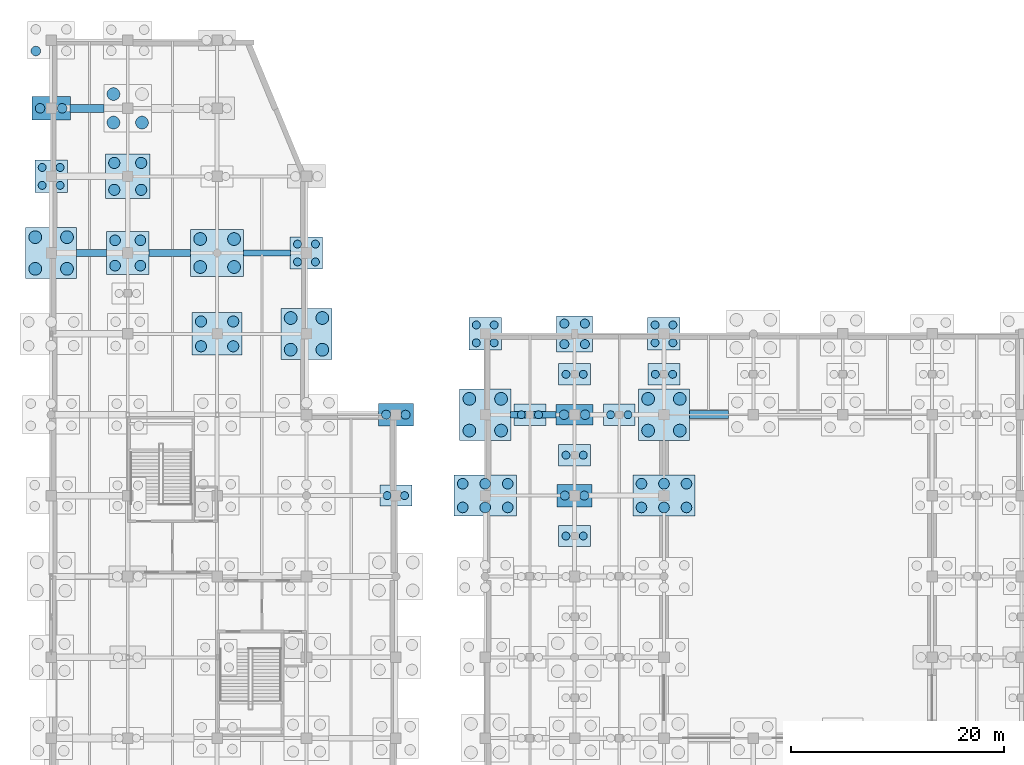
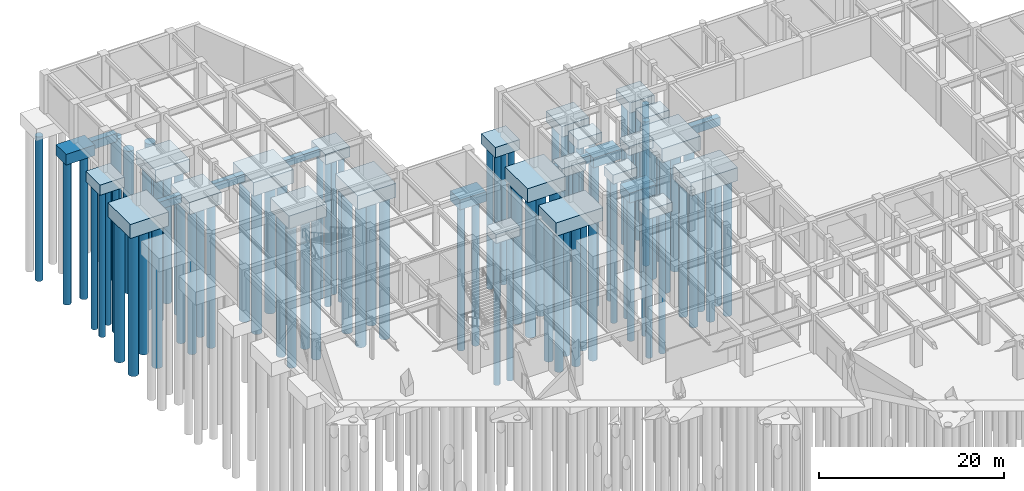
# One storey, part 8 of 52: 90 piles, 32 footings.
"""IFC4 building model written with IfcOpenShell, lengths in metres."""

from ifc_helpers import new_model, si_unit, direction, frame, origin, origin_2d, place, context, subcontext, project, spatial, rectangle, circle, extrude, material, material_profile, profile_set, type_object, element, save


model = new_model("IFC4")

# Units and contexts
model_context = context("Model", 3, precision=1e-05, world=origin(), true_north=direction((0.0, 1.0)))
body_context = subcontext(model_context, "Body", "Model", "MODEL_VIEW")
ifc_project = project(units=[si_unit("LENGTHUNIT", "METRE"), si_unit("AREAUNIT", "SQUARE_METRE"), si_unit("VOLUMEUNIT", "CUBIC_METRE"), si_unit("PLANEANGLEUNIT", "RADIAN"), si_unit("MASSUNIT", "GRAM", prefix="KILO")], contexts=[model_context])

# Site, building, storey
site_placement = place(None, origin())
site = spatial("IfcSite", under=ifc_project, at=site_placement, CompositionType="ELEMENT")
building_placement = place(site_placement, origin())
building = spatial("IfcBuilding", under=site, at=building_placement, Name="Xicomal Pleat Aquarium", CompositionType="ELEMENT")
storey_placement = place(building_placement, frame((0.0, 0.0, -5.39990234375)))
storey = spatial("IfcBuildingStorey", under=building, at=storey_placement, Name="B1", CompositionType="ELEMENT", Elevation=-5.39990234375)

# Footings
ifc_material_1 = material(Name="Concrete C40/50", Category="concrete")
ifc_material_profile_1 = material_profile(ifc_material_1, rectangle(XDim=0.60009765625, YDim=0.89990234375, at=origin_2d()), Name="FB-02 600x900")
ifc_profile_set_1 = profile_set([ifc_material_profile_1], Name="Concrete C40/50")
footing_type_1 = type_object("IfcFootingType", Name="FTG-FB-600x900", PredefinedType="FOOTING_BEAM", material=ifc_profile_set_1)
footing_1_placement = place(storey_placement, frame((21.090087890625, 91.199951171875, -1.050048828125), z_axis=(1.0, 0.0, 0.0), x_axis=(0.0, 1.0, 0.0)))
element("IfcFooting", 1, at=footing_1_placement, inside=storey, type_object=footing_type_1, Name="Foundation tie beam 03-04/N", PredefinedType="FOOTING_BEAM", context=body_context, shape_type="SweptSolid", body=[
    extrude(rectangle(XDim=0.60009765625, YDim=0.89990234375, at=origin_2d()), origin(), (0.0, 0.0, 1.0), 4.39501953125),
])
ifc_material_2 = material(Name="Concrete C40/50", Category="concrete")
ifc_material_profile_2 = material_profile(ifc_material_2, rectangle(XDim=0.64990234375, YDim=1.0, at=origin_2d()), Name="FB-03 650x1000")
ifc_profile_set_2 = profile_set([ifc_material_profile_2], Name="Concrete C40/50")
footing_type_2 = type_object("IfcFootingType", Name="FTG-FB-650x1000", PredefinedType="FOOTING_BEAM", material=ifc_profile_set_2)
footing_2_placement = place(storey_placement, frame((5.389892578125, 91.199951171875, -1.10009765625), z_axis=(1.0, 0.0, 0.0), x_axis=(0.0, 1.0, 0.0)))
element("IfcFooting", 2, at=footing_2_placement, inside=storey, type_object=footing_type_2, Name="Foundation tie beam 01-02/N", PredefinedType="FOOTING_BEAM", context=body_context, shape_type="SweptSolid", body=[
    extrude(rectangle(XDim=0.64990234375, YDim=1.0, at=origin_2d()), origin(), (0.0, 0.0, 1.0), 2.820068359375),
])
footing_3_placement = place(storey_placement, frame((12.18994140625, 91.199951171875, -1.10009765625), z_axis=(1.0, 0.0, 0.0), x_axis=(0.0, 1.0, 0.0)))
element("IfcFooting", 3, at=footing_3_placement, inside=storey, type_object=footing_type_2, Name="Foundation tie beam 02-03/N", PredefinedType="FOOTING_BEAM", context=body_context, shape_type="SweptSolid", body=[
    extrude(rectangle(XDim=0.64990234375, YDim=1.0, at=origin_2d()), origin(), (0.0, 0.0, 1.0), 3.920166015625),
])
footing_4_placement = place(storey_placement, frame((46.18994140625, 76.0, -1.4501953125), z_axis=(1.0, 0.0, 0.0), x_axis=(0.0, 1.0, 0.0)))
element("IfcFooting", 4, at=footing_4_placement, inside=storey, type_object=footing_type_2, Name="Foundation tie beam 06-07/L", PredefinedType="FOOTING_BEAM", context=body_context, shape_type="SweptSolid", body=[
    extrude(rectangle(XDim=0.64990234375, YDim=1.0, at=origin_2d()), origin(), (0.0, 0.0, 1.0), 4.27001953125),
])
ifc_material_3 = material(Name="Concrete C40/50", Category="concrete")
ifc_material_profile_3 = material_profile(ifc_material_3, rectangle(XDim=0.75, YDim=1.10009765625, at=origin_2d()), Name="FB-04 750x1100")
ifc_profile_set_3 = profile_set([ifc_material_profile_3], Name="Concrete C40/50")
footing_type_3 = type_object("IfcFootingType", Name="FTG-FB-750x1100", PredefinedType="FOOTING_BEAM", material=ifc_profile_set_3)
footing_5_placement = place(storey_placement, frame((4.7900390625, 104.800048828125, -1.150146484375), z_axis=(1.0, 0.0, 0.0), x_axis=(0.0, 1.0, 0.0)))
element("IfcFooting", 5, at=footing_5_placement, inside=storey, type_object=footing_type_3, Name="Foundation tie beam 01-02/Q", PredefinedType="FOOTING_BEAM", context=body_context, shape_type="SweptSolid", body=[
    extrude(rectangle(XDim=0.75, YDim=1.10009765625, at=origin_2d()), origin(), (0.0, 0.0, 1.0), 3.169921875),
])
footing_6_placement = place(storey_placement, frame((62.989990234375, 76.0, -2.10009765625), z_axis=(1.0, 0.0, 0.0), x_axis=(0.0, 1.0, 0.0)))
element("IfcFooting", 6, at=footing_6_placement, inside=storey, type_object=footing_type_3, Name="Foundation tie beam 08-09/L", PredefinedType="FOOTING_BEAM", context=body_context, shape_type="SweptSolid", body=[
    extrude(rectangle(XDim=0.75, YDim=1.10009765625, at=origin_2d()), origin(), (0.0, 0.0, 1.0), 3.669921875),
])
ifc_material_4 = material(Name="Concrete C40/50", Category="concrete")
footing_type_4 = type_object("IfcFootingType", Name="FTG-PC-3000x2000x1200", PredefinedType="PILE_CAP", material=ifc_material_4)
for number, where, z_axis, x_axis, name in (
    (7, (35.39990234375, 68.39990234375, -1.80029296875), (0.0, 0.0, 1.0), (1.0, 0.0, 0.0), "Pile cap 05-K"),
    (8, (48.0, 76.0, -2.14990234375), (0.0, 0.0, 1.0), (1.0, 0.0, 0.0), "Pile cap SUB-05"),
    (9, (56.39990234375, 76.0, -2.14990234375), (0.0, 0.0, 1.0), (1.0, 0.0, 0.0), "Pile cap SUB-10"),
    (10, (52.199951171875, 64.60009765625, -2.14990234375), (0.0, 0.0, 1.0), (1.0, 0.0, 0.0), "Pile cap SUB-38"),
    (11, (52.199951171875, 72.199951171875, -2.14990234375), (0.0, 0.0, 1.0), (1.0, 0.0, 0.0), "Pile cap SUB-39"),
    (12, (52.199951171875, 79.800048828125, -2.14990234375), (0.0, 0.0, 1.0), (1.0, 0.0, 0.0), "Pile cap SUB-40"),
    (13, (60.60009765625, 79.800048828125, -2.14990234375), (0.0, 0.0, 1.0), (1.0, 0.0, 0.0), "Pile cap SUB-43"),
):
    element("IfcFooting", number, at=place(storey_placement, frame(where, z_axis=z_axis, x_axis=x_axis)), inside=storey, type_object=footing_type_4, Name=name, PredefinedType="PILE_CAP", context=body_context, shape_type="SweptSolid", body=[
        extrude(rectangle(XDim=3.0, YDim=2.0, at=origin_2d()), origin(), (0.0, 0.0, 1.0), 1.199951171875),
    ])
ifc_material_5 = material(Name="Concrete C40/50", Category="concrete")
footing_type_5 = type_object("IfcFootingType", Name="FTG-PC-3050x3050x1350", PredefinedType="PILE_CAP", material=ifc_material_5)
for number, where, z_axis, x_axis, name in (
    (14, (3.0, 98.39990234375, -1.9501953125), (0.0, 0.0, 1.0), (1.0, 0.0, 0.0), "Pile cap 01-P"),
    (15, (27.0, 91.199951171875, -1.9501953125), (0.0, 0.0, 1.0), (1.0, 0.0, 0.0), "Pile cap 04-N"),
    (16, (43.800048828125, 83.60009765625, -2.300048828125), (0.0, 0.0, 1.0), (1.0, 0.0, 0.0), "Pile cap 06-M"),
    (17, (60.60009765625, 83.60009765625, -2.300048828125), (0.0, 0.0, 1.0), (1.0, 0.0, 0.0), "Pile cap 08-M"),
):
    element("IfcFooting", number, at=place(storey_placement, frame(where, z_axis=z_axis, x_axis=x_axis)), inside=storey, type_object=footing_type_5, Name=name, PredefinedType="PILE_CAP", context=body_context, shape_type="SweptSolid", body=[
        extrude(rectangle(XDim=3.050048828125, YDim=3.050048828125, at=origin_2d()), origin(), (0.0, 0.0, 1.0), 1.35009765625),
    ])
ifc_material_6 = material(Name="Concrete C40/50", Category="concrete")
footing_type_6 = type_object("IfcFootingType", Name="FTG-PC-3300x2100x1300", PredefinedType="PILE_CAP", material=ifc_material_6)
for number, where, z_axis, x_axis, name in (
    (18, (35.39990234375, 76.0, -1.89990234375), (0.0, 0.0, 1.0), (1.0, 0.0, 0.0), "Pile cap 05-L"),
    (19, (52.199951171875, 68.39990234375, -2.25), (0.0, 0.0, 1.0), (1.0, 0.0, 0.0), "Pile cap 07-K"),
):
    element("IfcFooting", number, at=place(storey_placement, frame(where, z_axis=z_axis, x_axis=x_axis)), inside=storey, type_object=footing_type_6, Name=name, PredefinedType="PILE_CAP", context=body_context, shape_type="SweptSolid", body=[
        extrude(rectangle(XDim=3.300048828125, YDim=2.10009765625, at=origin_2d()), origin(), (0.0, 0.0, 1.0), 1.300048828125),
    ])
ifc_material_7 = material(Name="Concrete C40/50", Category="concrete")
footing_type_7 = type_object("IfcFootingType", Name="FTG-PC-3400x3400x1400", PredefinedType="PILE_CAP", material=ifc_material_7)
footing_7_placement = place(storey_placement, frame((52.199951171875, 83.60009765625, -2.35009765625), z_axis=(0.0, 0.0, 1.0), x_axis=(1.0, 0.0, 0.0)))
element("IfcFooting", 20, at=footing_7_placement, inside=storey, type_object=footing_type_7, Name="Pile cap 07-M", PredefinedType="PILE_CAP", context=body_context, shape_type="SweptSolid", body=[
    extrude(rectangle(XDim=3.39990234375, YDim=3.39990234375, at=origin_2d()), origin(), (0.0, 0.0, 1.0), 1.39990234375),
])
ifc_material_8 = material(Name="Concrete C40/50", Category="concrete")
footing_type_8 = type_object("IfcFootingType", Name="FTG-PC-3500x1950x1300", PredefinedType="PILE_CAP", material=ifc_material_8)
footing_8_placement = place(storey_placement, frame((52.199951171875, 76.0, -2.25), z_axis=(0.0, 0.0, 1.0), x_axis=(1.0, 0.0, 0.0)))
element("IfcFooting", 21, at=footing_8_placement, inside=storey, type_object=footing_type_8, Name="Pile cap 07-L", PredefinedType="PILE_CAP", context=body_context, shape_type="SweptSolid", body=[
    extrude(rectangle(XDim=3.5, YDim=1.949951171875, at=origin_2d()), origin(), (0.0, 0.0, 1.0), 1.300048828125),
])
ifc_material_9 = material(Name="Concrete C40/50", Category="concrete")
footing_type_9 = type_object("IfcFootingType", Name="FTG-PC-3600x2200x1400", PredefinedType="PILE_CAP", material=ifc_material_9)
footing_9_placement = place(storey_placement, frame((3.0, 104.800048828125, -2.0), z_axis=(0.0, 0.0, 1.0), x_axis=(1.0, 0.0, 0.0)))
element("IfcFooting", 22, at=footing_9_placement, inside=storey, type_object=footing_type_9, Name="Pile cap 01-Q", PredefinedType="PILE_CAP", context=body_context, shape_type="SweptSolid", body=[
    extrude(rectangle(XDim=3.60009765625, YDim=2.199951171875, at=origin_2d()), origin(), (0.0, 0.0, 1.0), 1.39990234375),
])
ifc_material_10 = material(Name="Concrete C40/50", Category="concrete")
footing_type_10 = type_object("IfcFootingType", Name="FTG-PC-4000x4000x1600", PredefinedType="PILE_CAP", material=ifc_material_10)
footing_10_placement = place(storey_placement, frame((10.199951171875, 91.199951171875, -2.2001953125), z_axis=(0.0, 0.0, 1.0), x_axis=(1.0, 0.0, 0.0)))
element("IfcFooting", 23, at=footing_10_placement, inside=storey, type_object=footing_type_10, Name="Pile cap 02-N", PredefinedType="PILE_CAP", context=body_context, shape_type="SweptSolid", body=[
    extrude(rectangle(XDim=4.0, YDim=4.0, at=origin_2d()), origin(), (0.0, 0.0, 1.0), 1.60009765625),
])
ifc_material_11 = material(Name="Concrete C40/50", Category="concrete")
footing_type_11 = type_object("IfcFootingType", Name="FTG-PC-4200x4200x1650", PredefinedType="PILE_CAP", material=ifc_material_11)
footing_11_placement = place(storey_placement, frame((10.199951171875, 98.39990234375, -2.25), z_axis=(0.0, 0.0, 1.0), x_axis=(1.0, 0.0, 0.0)))
element("IfcFooting", 24, at=footing_11_placement, inside=storey, type_object=footing_type_11, Name="Pile cap 02-P", PredefinedType="PILE_CAP", context=body_context, shape_type="SweptSolid", body=[
    extrude(rectangle(XDim=4.199951171875, YDim=4.199951171875, at=origin_2d()), origin(), (0.0, 0.0, 1.0), 1.64990234375),
])
ifc_material_12 = material(Name="Concrete C40/50", Category="concrete")
footing_type_12 = type_object("IfcFootingType", Name="FTG-PC-4700x4000x1700", PredefinedType="PILE_CAP", material=ifc_material_12)
footing_12_placement = place(storey_placement, frame((18.60009765625, 83.60009765625, -2.30029296875), z_axis=(0.0, 0.0, 1.0), x_axis=(1.0, 0.0, 0.0)))
element("IfcFooting", 25, at=footing_12_placement, inside=storey, type_object=footing_type_12, Name="Pile cap 03-M", PredefinedType="PILE_CAP", context=body_context, shape_type="SweptSolid", body=[
    extrude(rectangle(XDim=4.699951171875, YDim=4.0, at=origin_2d()), origin(), (0.0, 0.0, 1.0), 1.699951171875),
])
ifc_material_13 = material(Name="Concrete C40/50", Category="concrete")
footing_type_13 = type_object("IfcFootingType", Name="FTG-PC-4800x4800x1850", PredefinedType="PILE_CAP", material=ifc_material_13)
for number, where, z_axis, x_axis, name in (
    (26, (3.0, 91.199951171875, -2.4501953125), (0.0, 0.0, 1.0), (1.0, 0.0, 0.0), "Pile cap 01-N"),
    (27, (27.0, 83.60009765625, -2.4501953125), (0.0, 0.0, 1.0), (1.0, 0.0, 0.0), "Pile cap 04-M"),
    (28, (43.800048828125, 76.0, -2.800048828125), (0.0, 0.0, 1.0), (1.0, 0.0, 0.0), "Pile cap 06-L"),
    (29, (60.60009765625, 76.0, -3.400146484375), (0.0, 0.0, 1.0), (1.0, 0.0, 0.0), "Pile cap 08-L"),
):
    element("IfcFooting", number, at=place(storey_placement, frame(where, z_axis=z_axis, x_axis=x_axis)), inside=storey, type_object=footing_type_13, Name=name, PredefinedType="PILE_CAP", context=body_context, shape_type="SweptSolid", body=[
        extrude(rectangle(XDim=4.800048828125, YDim=4.800048828125, at=origin_2d()), origin(), (0.0, 0.0, 1.0), 1.85009765625),
    ])
ifc_material_14 = material(Name="Concrete C40/50", Category="concrete")
footing_type_14 = type_object("IfcFootingType", Name="FTG-PC-5000x4450x1800", PredefinedType="PILE_CAP", material=ifc_material_14)
footing_13_placement = place(storey_placement, frame((18.60009765625, 91.199951171875, -2.39990234375), z_axis=(0.0, 0.0, 1.0), x_axis=(1.0, 0.0, 0.0)))
element("IfcFooting", 30, at=footing_13_placement, inside=storey, type_object=footing_type_14, Name="Pile cap 03-N", PredefinedType="PILE_CAP", context=body_context, shape_type="SweptSolid", body=[
    extrude(rectangle(XDim=5.0, YDim=4.449951171875, at=origin_2d()), origin(), (0.0, 0.0, 1.0), 1.800048828125),
])
ifc_material_15 = material(Name="Concrete C40/50", Category="concrete")
footing_type_15 = type_object("IfcFootingType", Name="FTG-PC-5850x3850x1750", PredefinedType="PILE_CAP", material=ifc_material_15)
for number, where, z_axis, x_axis, name in (
    (31, (43.800048828125, 68.39990234375, -2.7001953125), (0.0, 0.0, 1.0), (1.0, 0.0, 0.0), "Pile cap 06-K"),
    (32, (60.60009765625, 68.39990234375, -3.300048828125), (0.0, 0.0, 1.0), (1.0, 0.0, 0.0), "Pile cap 08-K"),
):
    element("IfcFooting", number, at=place(storey_placement, frame(where, z_axis=z_axis, x_axis=x_axis)), inside=storey, type_object=footing_type_15, Name=name, PredefinedType="PILE_CAP", context=body_context, shape_type="SweptSolid", body=[
        extrude(rectangle(XDim=5.85009765625, YDim=3.85009765625, at=origin_2d()), origin(), (0.0, 0.0, 1.0), 1.75),
    ])

# Piles
ifc_material_16 = material(Name="Concrete C40/50", Category="concrete")
ifc_material_profile_4 = material_profile(ifc_material_16, circle(Radius=0.5, at=origin_2d()), Name="BORED PILE D1000")
ifc_profile_set_4 = profile_set([ifc_material_profile_4], Name="Concrete C40/50")
pile_type_1 = type_object("IfcPileType", Name="PIL-B-1000", PredefinedType="BORED", material=ifc_profile_set_4)
for number, where, z_axis, x_axis, name in (
    (33, (9.010009765625, 90.010009765625, -2.10009765625), (0.0, 0.0, -1.0), (1.0, 0.0, 0.0), "Bored pile 02-N-1"),
    (34, (11.389892578125, 90.010009765625, -2.10009765625), (0.0, 0.0, -1.0), (1.0, 0.0, 0.0), "Bored pile 02-N-2"),
    (35, (9.010009765625, 92.389892578125, -2.10009765625), (0.0, 0.0, -1.0), (1.0, 0.0, 0.0), "Bored pile 02-N-3"),
    (36, (11.389892578125, 92.389892578125, -2.10009765625), (0.0, 0.0, -1.0), (1.0, 0.0, 0.0), "Bored pile 02-N-4"),
):
    element("IfcPile", number, at=place(storey_placement, frame(where, z_axis=z_axis, x_axis=x_axis)), inside=storey, type_object=pile_type_1, Name=name, PredefinedType="BORED", context=body_context, shape_type="SweptSolid", body=[
        extrude(circle(Radius=0.5, at=origin_2d()), origin(), (0.0, 0.0, 1.0), 19.0),
    ])
for number, where, z_axis, x_axis, name in (
    (37, (41.68505859375, 67.284912109375, -2.60009765625), (0.0, 0.0, -1.0), (1.0, 0.0, 0.0), "Bored pile 06-K-1"),
    (38, (43.800048828125, 67.284912109375, -2.60009765625), (0.0, 0.0, -1.0), (1.0, 0.0, 0.0), "Bored pile 06-K-2"),
    (39, (45.9150390625, 67.284912109375, -2.60009765625), (0.0, 0.0, -1.0), (1.0, 0.0, 0.0), "Bored pile 06-K-3"),
    (40, (41.68505859375, 69.514892578125, -2.60009765625), (0.0, 0.0, -1.0), (1.0, 0.0, 0.0), "Bored pile 06-K-4"),
    (41, (43.800048828125, 69.514892578125, -2.60009765625), (0.0, 0.0, -1.0), (1.0, 0.0, 0.0), "Bored pile 06-K-5"),
    (42, (45.9150390625, 69.514892578125, -2.60009765625), (0.0, 0.0, -1.0), (1.0, 0.0, 0.0), "Bored pile 06-K-6"),
):
    element("IfcPile", number, at=place(storey_placement, frame(where, z_axis=z_axis, x_axis=x_axis)), inside=storey, type_object=pile_type_1, Name=name, PredefinedType="BORED", context=body_context, shape_type="SweptSolid", body=[
        extrude(circle(Radius=0.5, at=origin_2d()), origin(), (0.0, 0.0, 1.0), 18.5),
    ])
for number, where, z_axis, x_axis, name in (
    (43, (58.485107421875, 67.284912109375, -3.2001953125), (0.0, 0.0, -1.0), (1.0, 0.0, 0.0), "Bored pile 08-K-1"),
    (44, (60.60009765625, 67.284912109375, -3.2001953125), (0.0, 0.0, -1.0), (1.0, 0.0, 0.0), "Bored pile 08-K-2"),
    (45, (62.715087890625, 67.284912109375, -3.2001953125), (0.0, 0.0, -1.0), (1.0, 0.0, 0.0), "Bored pile 08-K-3"),
    (46, (58.485107421875, 69.514892578125, -3.2001953125), (0.0, 0.0, -1.0), (1.0, 0.0, 0.0), "Bored pile 08-K-4"),
    (47, (60.60009765625, 69.514892578125, -3.2001953125), (0.0, 0.0, -1.0), (1.0, 0.0, 0.0), "Bored pile 08-K-5"),
    (48, (62.715087890625, 69.514892578125, -3.2001953125), (0.0, 0.0, -1.0), (1.0, 0.0, 0.0), "Bored pile 08-K-6"),
):
    element("IfcPile", number, at=place(storey_placement, frame(where, z_axis=z_axis, x_axis=x_axis)), inside=storey, type_object=pile_type_1, Name=name, PredefinedType="BORED", context=body_context, shape_type="SweptSolid", body=[
        extrude(circle(Radius=0.5, at=origin_2d()), origin(), (0.0, 0.0, 1.0), 17.89990234375),
    ])
ifc_material_17 = material(Name="Concrete C40/50", Category="concrete")
ifc_material_profile_5 = material_profile(ifc_material_17, circle(Radius=0.52490234375, at=origin_2d()), Name="BORED PILE D1050")
ifc_profile_set_5 = profile_set([ifc_material_profile_5], Name="Concrete C40/50")
pile_type_2 = type_object("IfcPileType", Name="PIL-B-1050", PredefinedType="BORED", material=ifc_profile_set_5)
for number, where, z_axis, x_axis, name in (
    (49, (8.93505859375, 97.135009765625, -2.150146484375), (0.0, 0.0, -1.0), (1.0, 0.0, 0.0), "Bored pile 02-P-1"),
    (50, (11.465087890625, 97.135009765625, -2.150146484375), (0.0, 0.0, -1.0), (1.0, 0.0, 0.0), "Bored pile 02-P-2"),
    (51, (8.93505859375, 99.6650390625, -2.150146484375), (0.0, 0.0, -1.0), (1.0, 0.0, 0.0), "Bored pile 02-P-3"),
    (52, (11.465087890625, 99.6650390625, -2.150146484375), (0.0, 0.0, -1.0), (1.0, 0.0, 0.0), "Bored pile 02-P-4"),
):
    element("IfcPile", number, at=place(storey_placement, frame(where, z_axis=z_axis, x_axis=x_axis)), inside=storey, type_object=pile_type_2, Name=name, PredefinedType="BORED", context=body_context, shape_type="SweptSolid", body=[
        extrude(circle(Radius=0.52490234375, at=origin_2d()), origin(), (0.0, 0.0, 1.0), 18.949951171875),
    ])
for number, where, z_axis, x_axis, name in (
    (53, (17.0849609375, 82.43505859375, -2.2001953125), (0.0, 0.0, -1.0), (1.0, 0.0, 0.0), "Bored pile 03-M-1"),
    (54, (20.114990234375, 82.43505859375, -2.2001953125), (0.0, 0.0, -1.0), (1.0, 0.0, 0.0), "Bored pile 03-M-2"),
    (55, (17.0849609375, 84.764892578125, -2.2001953125), (0.0, 0.0, -1.0), (1.0, 0.0, 0.0), "Bored pile 03-M-3"),
    (56, (20.114990234375, 84.764892578125, -2.2001953125), (0.0, 0.0, -1.0), (1.0, 0.0, 0.0), "Bored pile 03-M-4"),
):
    element("IfcPile", number, at=place(storey_placement, frame(where, z_axis=z_axis, x_axis=x_axis)), inside=storey, type_object=pile_type_2, Name=name, PredefinedType="BORED", context=body_context, shape_type="SweptSolid", body=[
        extrude(circle(Radius=0.52490234375, at=origin_2d()), origin(), (0.0, 0.0, 1.0), 18.89990234375),
    ])
ifc_material_18 = material(Name="Concrete C40/50", Category="concrete")
ifc_material_profile_6 = material_profile(ifc_material_18, circle(Radius=0.60009765625, at=origin_2d()), Name="BORED PILE D1200")
ifc_profile_set_6 = profile_set([ifc_material_profile_6], Name="Concrete C40/50")
pile_type_3 = type_object("IfcPileType", Name="PIL-B-1200", PredefinedType="BORED", material=ifc_profile_set_6)
for number, where, z_axis, x_axis, name in (
    (57, (1.510009765625, 89.7099609375, -2.35009765625), (0.0, 0.0, -1.0), (1.0, 0.0, 0.0), "Bored pile 01-N-1"),
    (58, (4.489990234375, 89.7099609375, -2.35009765625), (0.0, 0.0, -1.0), (1.0, 0.0, 0.0), "Bored pile 01-N-2"),
    (59, (1.510009765625, 92.68994140625, -2.35009765625), (0.0, 0.0, -1.0), (1.0, 0.0, 0.0), "Bored pile 01-N-3"),
    (60, (4.489990234375, 92.68994140625, -2.35009765625), (0.0, 0.0, -1.0), (1.0, 0.0, 0.0), "Bored pile 01-N-4"),
):
    element("IfcPile", number, at=place(storey_placement, frame(where, z_axis=z_axis, x_axis=x_axis)), inside=storey, type_object=pile_type_3, Name=name, PredefinedType="BORED", context=body_context, shape_type="SweptSolid", body=[
        extrude(circle(Radius=0.60009765625, at=origin_2d()), origin(), (0.0, 0.0, 1.0), 18.75),
    ])
for number, where, z_axis, x_axis, name in (
    (61, (8.860107421875, 103.4599609375, -2.300048828125), (0.0, 0.0, -1.0), (1.0, 0.0, 0.0), "Bored pile 02-Q-1"),
    (62, (11.5400390625, 103.4599609375, -2.300048828125), (0.0, 0.0, -1.0), (1.0, 0.0, 0.0), "Bored pile 02-Q-2"),
    (63, (8.860107421875, 106.139892578125, -2.300048828125), (0.0, 0.0, -1.0), (1.0, 0.0, 0.0), "Bored pile 02-Q-3"),
    (64, (17.010009765625, 89.885009765625, -2.300048828125), (0.0, 0.0, -1.0), (1.0, 0.0, 0.0), "Bored pile 03-N-1"),
    (65, (20.18994140625, 89.885009765625, -2.300048828125), (0.0, 0.0, -1.0), (1.0, 0.0, 0.0), "Bored pile 03-N-2"),
    (66, (17.010009765625, 92.514892578125, -2.300048828125), (0.0, 0.0, -1.0), (1.0, 0.0, 0.0), "Bored pile 03-N-3"),
    (67, (20.18994140625, 92.514892578125, -2.300048828125), (0.0, 0.0, -1.0), (1.0, 0.0, 0.0), "Bored pile 03-N-4"),
):
    element("IfcPile", number, at=place(storey_placement, frame(where, z_axis=z_axis, x_axis=x_axis)), inside=storey, type_object=pile_type_3, Name=name, PredefinedType="BORED", context=body_context, shape_type="SweptSolid", body=[
        extrude(circle(Radius=0.60009765625, at=origin_2d()), origin(), (0.0, 0.0, 1.0), 18.800048828125),
    ])
for number, where, z_axis, x_axis, name in (
    (68, (25.510009765625, 82.110107421875, -2.35009765625), (0.0, 0.0, -1.0), (1.0, 0.0, 0.0), "Bored pile 04-M-1"),
    (69, (28.489990234375, 82.110107421875, -2.35009765625), (0.0, 0.0, -1.0), (1.0, 0.0, 0.0), "Bored pile 04-M-2"),
    (70, (25.510009765625, 85.090087890625, -2.35009765625), (0.0, 0.0, -1.0), (1.0, 0.0, 0.0), "Bored pile 04-M-3"),
    (71, (28.489990234375, 85.090087890625, -2.35009765625), (0.0, 0.0, -1.0), (1.0, 0.0, 0.0), "Bored pile 04-M-4"),
):
    element("IfcPile", number, at=place(storey_placement, frame(where, z_axis=z_axis, x_axis=x_axis)), inside=storey, type_object=pile_type_3, Name=name, PredefinedType="BORED", context=body_context, shape_type="SweptSolid", body=[
        extrude(circle(Radius=0.60009765625, at=origin_2d()), origin(), (0.0, 0.0, 1.0), 18.75),
    ])
for number, where, z_axis, x_axis, name in (
    (72, (42.31005859375, 74.510009765625, -2.7001953125), (0.0, 0.0, -1.0), (1.0, 0.0, 0.0), "Bored pile 06-L-1"),
    (73, (45.2900390625, 74.510009765625, -2.7001953125), (0.0, 0.0, -1.0), (1.0, 0.0, 0.0), "Bored pile 06-L-2"),
    (74, (42.31005859375, 77.489990234375, -2.7001953125), (0.0, 0.0, -1.0), (1.0, 0.0, 0.0), "Bored pile 06-L-3"),
    (75, (45.2900390625, 77.489990234375, -2.7001953125), (0.0, 0.0, -1.0), (1.0, 0.0, 0.0), "Bored pile 06-L-4"),
):
    element("IfcPile", number, at=place(storey_placement, frame(where, z_axis=z_axis, x_axis=x_axis)), inside=storey, type_object=pile_type_3, Name=name, PredefinedType="BORED", context=body_context, shape_type="SweptSolid", body=[
        extrude(circle(Radius=0.60009765625, at=origin_2d()), origin(), (0.0, 0.0, 1.0), 18.39990234375),
    ])
for number, where, z_axis, x_axis, name in (
    (76, (59.110107421875, 74.510009765625, -3.300048828125), (0.0, 0.0, -1.0), (1.0, 0.0, 0.0), "Bored pile 08-L-1"),
    (77, (62.090087890625, 74.510009765625, -3.300048828125), (0.0, 0.0, -1.0), (1.0, 0.0, 0.0), "Bored pile 08-L-2"),
    (78, (59.110107421875, 77.489990234375, -3.300048828125), (0.0, 0.0, -1.0), (1.0, 0.0, 0.0), "Bored pile 08-L-3"),
    (79, (62.090087890625, 77.489990234375, -3.300048828125), (0.0, 0.0, -1.0), (1.0, 0.0, 0.0), "Bored pile 08-L-4"),
):
    element("IfcPile", number, at=place(storey_placement, frame(where, z_axis=z_axis, x_axis=x_axis)), inside=storey, type_object=pile_type_3, Name=name, PredefinedType="BORED", context=body_context, shape_type="SweptSolid", body=[
        extrude(circle(Radius=0.60009765625, at=origin_2d()), origin(), (0.0, 0.0, 1.0), 17.800048828125),
    ])
ifc_material_19 = material(Name="Concrete C40/50", Category="concrete")
ifc_material_profile_7 = material_profile(ifc_material_19, circle(Radius=0.375, at=origin_2d()), Name="BORED PILE D750")
ifc_profile_set_7 = profile_set([ifc_material_profile_7], Name="Concrete C40/50")
pile_type_4 = type_object("IfcPileType", Name="PIL-B-750", PredefinedType="BORED", material=ifc_profile_set_7)
for number, where, z_axis, x_axis, name in (
    (80, (2.159912109375, 97.56005859375, -1.85009765625), (0.0, 0.0, -1.0), (1.0, 0.0, 0.0), "Bored pile 01-P-1"),
    (81, (3.840087890625, 97.56005859375, -1.85009765625), (0.0, 0.0, -1.0), (1.0, 0.0, 0.0), "Bored pile 01-P-2"),
    (82, (2.159912109375, 99.239990234375, -1.85009765625), (0.0, 0.0, -1.0), (1.0, 0.0, 0.0), "Bored pile 01-P-3"),
    (83, (3.840087890625, 99.239990234375, -1.85009765625), (0.0, 0.0, -1.0), (1.0, 0.0, 0.0), "Bored pile 01-P-4"),
    (84, (26.159912109375, 90.360107421875, -1.85009765625), (0.0, 0.0, -1.0), (1.0, 0.0, 0.0), "Bored pile 04-N-1"),
    (85, (27.840087890625, 90.360107421875, -1.85009765625), (0.0, 0.0, -1.0), (1.0, 0.0, 0.0), "Bored pile 04-N-2"),
    (86, (26.159912109375, 92.0400390625, -1.85009765625), (0.0, 0.0, -1.0), (1.0, 0.0, 0.0), "Bored pile 04-N-3"),
    (87, (27.840087890625, 92.0400390625, -1.85009765625), (0.0, 0.0, -1.0), (1.0, 0.0, 0.0), "Bored pile 04-N-4"),
):
    element("IfcPile", number, at=place(storey_placement, frame(where, z_axis=z_axis, x_axis=x_axis)), inside=storey, type_object=pile_type_4, Name=name, PredefinedType="BORED", context=body_context, shape_type="SweptSolid", body=[
        extrude(circle(Radius=0.375, at=origin_2d()), origin(), (0.0, 0.0, 1.0), 19.25),
    ])
for number, where, z_axis, x_axis, name in (
    (88, (34.5849609375, 68.39990234375, -1.7001953125), (0.0, 0.0, -1.0), (1.0, 0.0, 0.0), "Bored pile 05-K-1"),
    (89, (36.215087890625, 68.39990234375, -1.7001953125), (0.0, 0.0, -1.0), (1.0, 0.0, 0.0), "Bored pile 05-K-2"),
):
    element("IfcPile", number, at=place(storey_placement, frame(where, z_axis=z_axis, x_axis=x_axis)), inside=storey, type_object=pile_type_4, Name=name, PredefinedType="BORED", context=body_context, shape_type="SweptSolid", body=[
        extrude(circle(Radius=0.375, at=origin_2d()), origin(), (0.0, 0.0, 1.0), 19.39990234375),
    ])
for number, where, z_axis, x_axis, name in (
    (90, (42.9599609375, 82.760009765625, -2.2001953125), (0.0, 0.0, -1.0), (1.0, 0.0, 0.0), "Bored pile 06-M-1"),
    (91, (44.639892578125, 82.760009765625, -2.2001953125), (0.0, 0.0, -1.0), (1.0, 0.0, 0.0), "Bored pile 06-M-2"),
    (92, (42.9599609375, 84.43994140625, -2.2001953125), (0.0, 0.0, -1.0), (1.0, 0.0, 0.0), "Bored pile 06-M-3"),
    (93, (44.639892578125, 84.43994140625, -2.2001953125), (0.0, 0.0, -1.0), (1.0, 0.0, 0.0), "Bored pile 06-M-4"),
    (94, (59.760009765625, 82.760009765625, -2.2001953125), (0.0, 0.0, -1.0), (1.0, 0.0, 0.0), "Bored pile 08-M-1"),
    (95, (61.43994140625, 82.760009765625, -2.2001953125), (0.0, 0.0, -1.0), (1.0, 0.0, 0.0), "Bored pile 08-M-2"),
    (96, (59.760009765625, 84.43994140625, -2.2001953125), (0.0, 0.0, -1.0), (1.0, 0.0, 0.0), "Bored pile 08-M-3"),
    (97, (61.43994140625, 84.43994140625, -2.2001953125), (0.0, 0.0, -1.0), (1.0, 0.0, 0.0), "Bored pile 08-M-4"),
):
    element("IfcPile", number, at=place(storey_placement, frame(where, z_axis=z_axis, x_axis=x_axis)), inside=storey, type_object=pile_type_4, Name=name, PredefinedType="BORED", context=body_context, shape_type="SweptSolid", body=[
        extrude(circle(Radius=0.375, at=origin_2d()), origin(), (0.0, 0.0, 1.0), 18.89990234375),
    ])
for number, where, z_axis, x_axis, name in (
    (98, (47.18505859375, 76.0, -2.050048828125), (0.0, 0.0, -1.0), (1.0, 0.0, 0.0), "Bored pile SUB-05-1"),
    (99, (48.81494140625, 76.0, -2.050048828125), (0.0, 0.0, -1.0), (1.0, 0.0, 0.0), "Bored pile SUB-05-2"),
    (100, (55.5849609375, 76.0, -2.050048828125), (0.0, 0.0, -1.0), (1.0, 0.0, 0.0), "Bored pile SUB-10-1"),
    (101, (57.215087890625, 76.0, -2.050048828125), (0.0, 0.0, -1.0), (1.0, 0.0, 0.0), "Bored pile SUB-10-2"),
    (102, (51.385009765625, 64.60009765625, -2.050048828125), (0.0, 0.0, -1.0), (1.0, 0.0, 0.0), "Bored pile SUB-38-1"),
    (103, (53.014892578125, 64.60009765625, -2.050048828125), (0.0, 0.0, -1.0), (1.0, 0.0, 0.0), "Bored pile SUB-38-2"),
    (104, (51.385009765625, 72.199951171875, -2.050048828125), (0.0, 0.0, -1.0), (1.0, 0.0, 0.0), "Bored pile SUB-39-1"),
    (105, (53.014892578125, 72.199951171875, -2.050048828125), (0.0, 0.0, -1.0), (1.0, 0.0, 0.0), "Bored pile SUB-39-2"),
    (106, (51.385009765625, 79.800048828125, -2.050048828125), (0.0, 0.0, -1.0), (1.0, 0.0, 0.0), "Bored pile SUB-40-1"),
    (107, (53.014892578125, 79.800048828125, -2.050048828125), (0.0, 0.0, -1.0), (1.0, 0.0, 0.0), "Bored pile SUB-40-2"),
    (108, (59.784912109375, 79.800048828125, -2.050048828125), (0.0, 0.0, -1.0), (1.0, 0.0, 0.0), "Bored pile SUB-43-1"),
    (109, (61.4150390625, 79.800048828125, -2.050048828125), (0.0, 0.0, -1.0), (1.0, 0.0, 0.0), "Bored pile SUB-43-2"),
):
    element("IfcPile", number, at=place(storey_placement, frame(where, z_axis=z_axis, x_axis=x_axis)), inside=storey, type_object=pile_type_4, Name=name, PredefinedType="BORED", context=body_context, shape_type="SweptSolid", body=[
        extrude(circle(Radius=0.375, at=origin_2d()), origin(), (0.0, 0.0, 1.0), 19.050048828125),
    ])
ifc_material_20 = material(Name="Concrete C40/50", Category="concrete")
ifc_material_profile_8 = material_profile(ifc_material_20, circle(Radius=0.425048828125, at=origin_2d()), Name="BORED PILE D850")
ifc_profile_set_8 = profile_set([ifc_material_profile_8], Name="Concrete C40/50")
pile_type_5 = type_object("IfcPileType", Name="PIL-B-850", PredefinedType="BORED", material=ifc_profile_set_8)
for number, where, z_axis, x_axis, name in (
    (110, (34.485107421875, 76.0, -1.800048828125), (0.0, 0.0, -1.0), (1.0, 0.0, 0.0), "Bored pile 05-L-1"),
    (111, (36.31494140625, 76.0, -1.800048828125), (0.0, 0.0, -1.0), (1.0, 0.0, 0.0), "Bored pile 05-L-2"),
):
    element("IfcPile", number, at=place(storey_placement, frame(where, z_axis=z_axis, x_axis=x_axis)), inside=storey, type_object=pile_type_5, Name=name, PredefinedType="BORED", context=body_context, shape_type="SweptSolid", body=[
        extrude(circle(Radius=0.425048828125, at=origin_2d()), origin(), (0.0, 0.0, 1.0), 19.300048828125),
    ])
for number, where, z_axis, x_axis, name in (
    (112, (51.284912109375, 68.39990234375, -2.150146484375), (0.0, 0.0, -1.0), (1.0, 0.0, 0.0), "Bored pile 07-K-1"),
    (113, (53.114990234375, 68.39990234375, -2.150146484375), (0.0, 0.0, -1.0), (1.0, 0.0, 0.0), "Bored pile 07-K-2"),
):
    element("IfcPile", number, at=place(storey_placement, frame(where, z_axis=z_axis, x_axis=x_axis)), inside=storey, type_object=pile_type_5, Name=name, PredefinedType="BORED", context=body_context, shape_type="SweptSolid", body=[
        extrude(circle(Radius=0.425048828125, at=origin_2d()), origin(), (0.0, 0.0, 1.0), 18.949951171875),
    ])
for number, where, z_axis, x_axis, name in (
    (114, (51.235107421875, 82.635009765625, -2.25), (0.0, 0.0, -1.0), (1.0, 0.0, 0.0), "Bored pile 07-M-1"),
    (115, (53.1650390625, 82.635009765625, -2.25), (0.0, 0.0, -1.0), (1.0, 0.0, 0.0), "Bored pile 07-M-2"),
    (116, (51.235107421875, 84.56494140625, -2.25), (0.0, 0.0, -1.0), (1.0, 0.0, 0.0), "Bored pile 07-M-3"),
    (117, (53.1650390625, 84.56494140625, -2.25), (0.0, 0.0, -1.0), (1.0, 0.0, 0.0), "Bored pile 07-M-4"),
):
    element("IfcPile", number, at=place(storey_placement, frame(where, z_axis=z_axis, x_axis=x_axis)), inside=storey, type_object=pile_type_5, Name=name, PredefinedType="BORED", context=body_context, shape_type="SweptSolid", body=[
        extrude(circle(Radius=0.425048828125, at=origin_2d()), origin(), (0.0, 0.0, 1.0), 18.85009765625),
    ])
ifc_material_21 = material(Name="Concrete C40/50", Category="concrete")
ifc_material_profile_9 = material_profile(ifc_material_21, circle(Radius=0.449951171875, at=origin_2d()), Name="BORED PILE D900")
ifc_profile_set_9 = profile_set([ifc_material_profile_9], Name="Concrete C40/50")
pile_type_6 = type_object("IfcPileType", Name="PIL-B-900", PredefinedType="BORED", material=ifc_profile_set_9)
for number, where, z_axis, x_axis, name in (
    (118, (1.9599609375, 104.800048828125, -1.900146484375), (0.0, 0.0, -1.0), (1.0, 0.0, 0.0), "Bored pile 01-Q-1"),
    (119, (4.0400390625, 104.800048828125, -1.900146484375), (0.0, 0.0, -1.0), (1.0, 0.0, 0.0), "Bored pile 01-Q-2"),
):
    element("IfcPile", number, at=place(storey_placement, frame(where, z_axis=z_axis, x_axis=x_axis)), inside=storey, type_object=pile_type_6, Name=name, PredefinedType="BORED", context=body_context, shape_type="SweptSolid", body=[
        extrude(circle(Radius=0.449951171875, at=origin_2d()), origin(), (0.0, 0.0, 1.0), 19.199951171875),
    ])
pile_placement = place(storey_placement, frame((1.56005859375, 110.18505859375, -2.050048828125), z_axis=(0.0, 0.0, -1.0), x_axis=(1.0, 0.0, 0.0)))
element("IfcPile", 120, at=pile_placement, inside=storey, type_object=pile_type_6, Name="Bored pile 01-R-1", PredefinedType="BORED", context=body_context, shape_type="SweptSolid", body=[
    extrude(circle(Radius=0.449951171875, at=origin_2d()), origin(), (0.0, 0.0, 1.0), 19.050048828125),
])
for number, where, z_axis, x_axis, name in (
    (121, (51.2099609375, 76.0, -2.150146484375), (0.0, 0.0, -1.0), (1.0, 0.0, 0.0), "Bored pile 07-L-1"),
    (122, (53.18994140625, 76.0, -2.150146484375), (0.0, 0.0, -1.0), (1.0, 0.0, 0.0), "Bored pile 07-L-2"),
):
    element("IfcPile", number, at=place(storey_placement, frame(where, z_axis=z_axis, x_axis=x_axis)), inside=storey, type_object=pile_type_6, Name=name, PredefinedType="BORED", context=body_context, shape_type="SweptSolid", body=[
        extrude(circle(Radius=0.449951171875, at=origin_2d()), origin(), (0.0, 0.0, 1.0), 18.949951171875),
    ])

save(model, "model.ifc")
